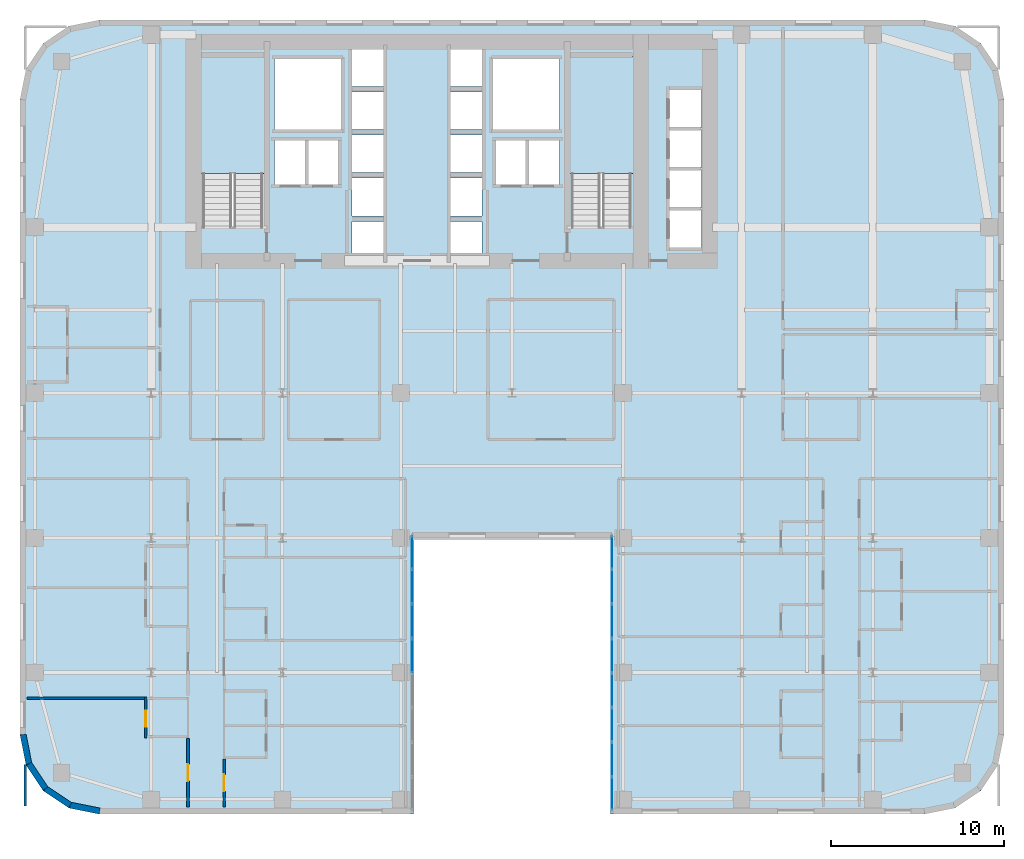
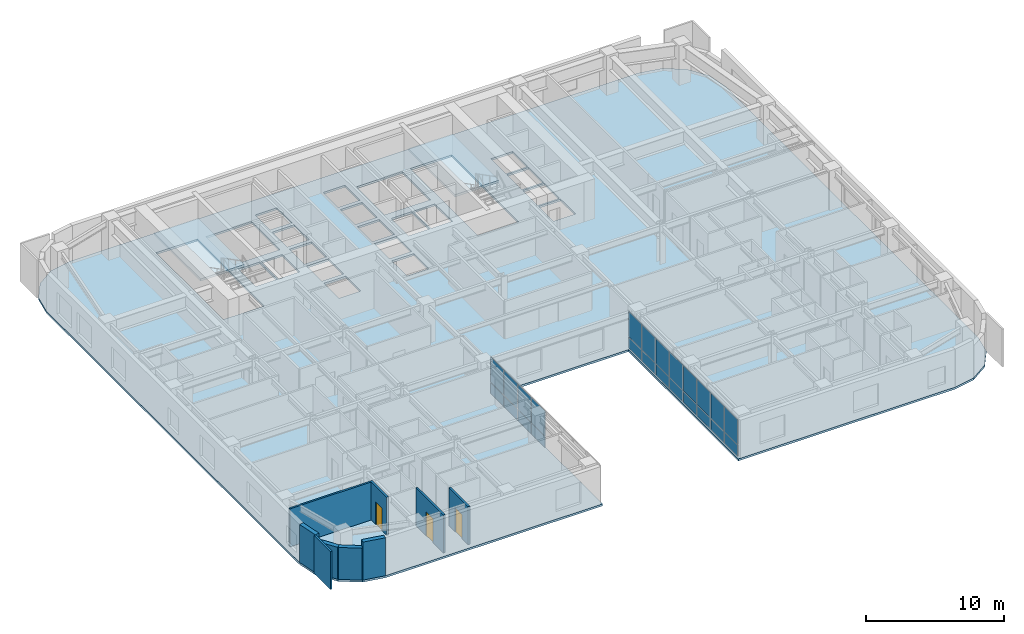
# One storey, part 9 of 17: 24 plates, 9 walls, 3 doors, 3 slabs, 3 openings, 4 elements without a shape of their own.
"""IFC4 building model written with IfcOpenShell, lengths in metres."""

from ifc_helpers import new_model, si_unit, direction, frame, frame_2d, origin, origin_2d, place, context, subcontext, project, spatial, polyline, rectangle, outline, extrude, source, transform, mapped, material, layer, layer_set, type_object, type_shapes, element, fill, aggregate, save


model = new_model("IFC4")

# Units and contexts
model_context = context("Model", 3, precision=1e-05, world=origin(), true_north=direction((0.0, 1.0)))
body_context = subcontext(model_context, "Body", "Model", "MODEL_VIEW")
ifc_project = project(units=[si_unit("LENGTHUNIT", "METRE"), si_unit("AREAUNIT", "SQUARE_METRE"), si_unit("VOLUMEUNIT", "CUBIC_METRE"), si_unit("PLANEANGLEUNIT", "RADIAN"), si_unit("MASSUNIT", "GRAM", prefix="KILO")], contexts=[model_context])

# Site, building, storey
site_placement = place(None, origin())
site = spatial("IfcSite", under=ifc_project, at=site_placement, CompositionType="ELEMENT")
building_placement = place(site_placement, origin())
building = spatial("IfcBuilding", under=site, at=building_placement, Name="Tolvann Quenvar Hotel", CompositionType="ELEMENT")
storey_placement = place(building_placement, frame((0.0, 0.0, 42.64990234375)))
storey = spatial("IfcBuildingStorey", under=building, at=storey_placement, Name="L09", CompositionType="ELEMENT", Elevation=42.64990234375)

# Stair, slab
ifc_material_1 = material(Name="Concrete N40 (40 MPa)", Category="concrete")
stair_type = type_object("IfcStairType", Name="STAIR", PredefinedType="HALF_TURN_STAIR", material=ifc_material_1)
stair_1_placement = place(storey_placement, origin())
stair_1 = element("IfcStair", 1, at=stair_1_placement, inside=storey, type_object=stair_type, Name="L09 ST-C1", PredefinedType="HALF_TURN_STAIR")
ifc_layer_1 = layer(ifc_material_1, 0.199951171875)
ifc_layer_set_1 = layer_set([ifc_layer_1], Name="Concrete N40 (40 MPa)")
slab_type_1 = type_object("IfcSlabType", Name="SLAB_LANDING", PredefinedType="LANDING", material=ifc_layer_set_1)
slab_1_placement = place(storey_placement, frame((0.0, 0.0, 1.5751953125)))
slab_1 = element("IfcSlab", 2, at=slab_1_placement, type_object=slab_type_1, Name="ST-C1 landing 1", PredefinedType="LANDING", context=body_context, shape_type="SweptSolid", body=[
    extrude(outline(polyline([(14.179931640625, 37.10498046875), (14.179931640625, 43.8798828125), (10.469970703125, 43.8798828125), (10.469970703125, 37.10498046875), (14.179931640625, 37.10498046875)])), origin(), (0.0, 0.0, 1.0), 0.199951171875),
])
aggregate(stair_1, [slab_1])

stair_2_placement = place(storey_placement, origin())
stair_2 = element("IfcStair", 3, at=stair_2_placement, inside=storey, type_object=stair_type, Name="L09 ST-C2", PredefinedType="HALF_TURN_STAIR")
slab_2_placement = place(storey_placement, frame((0.0, 0.0, 1.5751953125)))
slab_2 = element("IfcSlab", 4, at=slab_2_placement, type_object=slab_type_1, Name="ST-C2 landing 1", PredefinedType="LANDING", context=body_context, shape_type="SweptSolid", body=[
    extrude(outline(polyline([(35.530029296875, 37.10498046875), (35.530029296875, 43.8798828125), (31.820068359375, 43.8798828125), (31.820068359375, 37.10498046875), (35.530029296875, 37.10498046875)])), origin(), (0.0, 0.0, 1.0), 0.199951171875),
])
aggregate(stair_2, [slab_2])

# Slab
ifc_layer_2 = layer(ifc_material_1, 0.179931640625)
ifc_layer_set_2 = layer_set([ifc_layer_2], Name="Concrete N40 (40 MPa)")
slab_type_2 = type_object("IfcSlabType", Name="SLAB_TWR_180", PredefinedType="FLOOR", material=ifc_layer_set_2)
slab_3_placement = place(storey_placement, frame((0.0, 0.0, -0.179931640625)))
element("IfcSlab", 5, at=slab_3_placement, inside=storey, type_object=slab_type_2, Name="Level L09 Structural Floor Slab", PredefinedType="FLOOR", context=body_context, shape_type="SweptSolid", body=[
    extrude(outline(polyline([(0.0, 4.60009765625), (0.35009765625, 2.839599609375), (1.347412109375, 1.347412109375), (2.839599609375, 0.35009765625), (4.60009765625, 0.0), (22.800048828125, 0.0), (22.800048828125, 16.0), (34.199951171875, 16.0), (34.199951171875, 0.0), (52.39990234375, 0.0), (54.160400390625, 0.35009765625), (55.652587890625, 1.347412109375), (56.64990234375, 2.839599609375), (57.0, 4.60009765625), (57.0, 41.39990234375), (56.64990234375, 43.160400390625), (55.652587890625, 44.652587890625), (54.160400390625, 45.64990234375), (52.39990234375, 46.0), (4.60009765625, 46.0), (2.839599609375, 45.64990234375), (1.347412109375, 44.652587890625), (0.35009765625, 43.160400390625), (0.0, 41.39990234375), (0.0, 4.60009765625)]), holes=[polyline([(37.6298828125, 41.949951171875), (39.469970703125, 41.949951171875), (39.469970703125, 39.77001953125), (37.6298828125, 39.77001953125), (37.6298828125, 41.949951171875)]), polyline([(37.6298828125, 39.6298828125), (39.469970703125, 39.6298828125), (39.469970703125, 37.449951171875), (37.6298828125, 37.449951171875), (37.6298828125, 39.6298828125)]), polyline([(37.6298828125, 37.31005859375), (39.469970703125, 37.31005859375), (39.469970703125, 35.1298828125), (37.6298828125, 35.1298828125), (37.6298828125, 37.31005859375)]), polyline([(37.6298828125, 34.989990234375), (39.469970703125, 34.989990234375), (39.469970703125, 32.81005859375), (37.6298828125, 32.81005859375), (37.6298828125, 34.989990234375)]), polyline([(31.949951171875, 43.800048828125), (35.39990234375, 43.800048828125), (35.39990234375, 34.02490234375), (31.949951171875, 34.02490234375), (31.949951171875, 43.800048828125)]), polyline([(31.25, 39.02001953125), (31.25, 36.47998046875), (29.449951171875, 36.47998046875), (29.449951171875, 39.02001953125), (31.25, 39.02001953125)]), polyline([(31.25, 43.75), (31.25, 39.64990234375), (27.39990234375, 39.64990234375), (27.39990234375, 43.75), (31.25, 43.75)]), polyline([(27.574951171875, 39.02001953125), (29.324951171875, 39.02001953125), (29.324951171875, 36.47998046875), (27.574951171875, 36.47998046875), (27.574951171875, 39.02001953125)]), polyline([(26.77001953125, 36.840087890625), (26.77001953125, 34.659912109375), (24.929931640625, 34.659912109375), (24.929931640625, 36.840087890625), (26.77001953125, 36.840087890625)]), polyline([(26.77001953125, 44.340087890625), (26.77001953125, 42.159912109375), (24.929931640625, 42.159912109375), (24.929931640625, 44.340087890625), (26.77001953125, 44.340087890625)]), polyline([(26.77001953125, 41.840087890625), (26.77001953125, 39.659912109375), (24.929931640625, 39.659912109375), (24.929931640625, 41.840087890625), (26.77001953125, 41.840087890625)]), polyline([(26.77001953125, 39.340087890625), (26.77001953125, 37.159912109375), (24.929931640625, 37.159912109375), (24.929931640625, 39.340087890625), (26.77001953125, 39.340087890625)]), polyline([(24.929931640625, 34.340087890625), (26.77001953125, 34.340087890625), (26.77001953125, 32.159912109375), (24.929931640625, 32.159912109375), (24.929931640625, 34.340087890625)]), polyline([(21.070068359375, 44.340087890625), (21.070068359375, 42.159912109375), (19.22998046875, 42.159912109375), (19.22998046875, 44.340087890625), (21.070068359375, 44.340087890625)]), polyline([(19.22998046875, 41.840087890625), (21.070068359375, 41.840087890625), (21.070068359375, 39.659912109375), (19.22998046875, 39.659912109375), (19.22998046875, 41.840087890625)]), polyline([(21.070068359375, 39.340087890625), (21.070068359375, 37.159912109375), (19.22998046875, 37.159912109375), (19.22998046875, 39.340087890625), (21.070068359375, 39.340087890625)]), polyline([(19.22998046875, 36.840087890625), (21.070068359375, 36.840087890625), (21.070068359375, 34.659912109375), (19.22998046875, 34.659912109375), (19.22998046875, 36.840087890625)]), polyline([(19.22998046875, 34.340087890625), (21.070068359375, 34.340087890625), (21.070068359375, 32.159912109375), (19.22998046875, 32.159912109375), (19.22998046875, 34.340087890625)]), polyline([(18.60009765625, 43.75), (18.60009765625, 39.64990234375), (14.75, 39.64990234375), (14.75, 43.75), (18.60009765625, 43.75)]), polyline([(16.675048828125, 39.02001953125), (18.425048828125, 39.02001953125), (18.425048828125, 36.47998046875), (16.675048828125, 36.47998046875), (16.675048828125, 39.02001953125)]), polyline([(16.550048828125, 39.02001953125), (16.550048828125, 36.47998046875), (14.75, 36.47998046875), (14.75, 39.02001953125), (16.550048828125, 39.02001953125)]), polyline([(10.60009765625, 43.800048828125), (14.050048828125, 43.800048828125), (14.050048828125, 34.02490234375), (10.60009765625, 34.02490234375), (10.60009765625, 43.800048828125)])]), origin(), (0.0, 0.0, 1.0), 0.179931640625),
])

# Curtain wall, plate
ifc_material_2 = material(Name="Thermally broken anodised architectural aluminium 6063-T6 and laminated low-E glass", Category="aluminium")
ifc_layer_3 = layer(ifc_material_2, 0.179931640625)
ifc_layer_set_3 = layer_set([ifc_layer_3], Name="Thermally broken anodised architectural aluminium 6063-T6 and laminated low-E glass")
curtain_wall_type = type_object("IfcCurtainWallType", Name="CW_SYS_SLOT_03", PredefinedType="USERDEFINED", material=ifc_layer_set_3)
curtain_wall_1_placement = place(storey_placement, origin())
curtain_wall_1 = element("IfcCurtainWall", 6, at=curtain_wall_1_placement, inside=storey, type_object=curtain_wall_type, Name="Curtain Wall CW-SLOT-03 (CWR-L09-E05)", ObjectType="UNITISED CURTAIN WALL", PredefinedType="USERDEFINED")
ifc_material_3 = material(Name="Low-iron laminated double glazing with solar-control coating", Category="glass")
ifc_layer_4 = layer(ifc_material_3, 0.028076171875)
ifc_layer_set_4 = layer_set([ifc_layer_4], Name="Low-iron laminated double glazing with solar-control coating")
plate_type = type_object("IfcPlateType", Name="CW_PAN_VISION_28", PredefinedType="CURTAIN_PANEL", material=ifc_layer_set_4)
shared_shape_1 = source(origin(), body_context, "Body", "SweptSolid", [
    extrude(rectangle(XDim=1.89501953125, YDim=0.028076171875, at=origin_2d()), origin(), (0.0, 0.0, 1.0), 0.9599609375),
])
plate_1_placement = place(storey_placement, frame((22.7099609375, 15.157470703125, 0.06005859375), z_axis=(0.0, 0.0, 1.0), x_axis=(0.0, 1.0, 0.0)))
plate_1 = element("IfcPlate", 7, at=plate_1_placement, type_object=plate_type, Name="CW-SLOT-03 panel 8.1", PredefinedType="CURTAIN_PANEL", context=body_context, shape_type="MappedRepresentation", body=[
    mapped(shared_shape_1, transform((0.0, 0.0, 0.0), x_axis=(1.0, 0.0, 0.0), y_axis=(0.0, 1.0, 0.0), z_axis=(0.0, 0.0, 1.0), scale=1.0)),
])

# Curtain wall, plates
curtain_wall_2_placement = place(storey_placement, origin())
curtain_wall_2 = element("IfcCurtainWall", 8, at=curtain_wall_2_placement, inside=storey, type_object=curtain_wall_type, Name="Curtain Wall CW-SLOT-03 (CWR-L09-E07)", ObjectType="UNITISED CURTAIN WALL", PredefinedType="USERDEFINED")
plate_2_placement = place(storey_placement, frame((34.2900390625, 15.157470703125, 0.06005859375), z_axis=(0.0, 0.0, 1.0), x_axis=(0.0, -1.0, 0.0)))
plate_2 = element("IfcPlate", 9, at=plate_2_placement, type_object=plate_type, Name="CW-SLOT-03 panel 1.1", PredefinedType="CURTAIN_PANEL", context=body_context, shape_type="MappedRepresentation", body=[
    mapped(shared_shape_1, transform((0.0, 0.0, 0.0), x_axis=(1.0, 0.0, 0.0), y_axis=(0.0, 1.0, 0.0), z_axis=(0.0, 0.0, 1.0), scale=1.0)),
])
plate_3_placement = place(storey_placement, frame((34.2900390625, 1.1923828125, 0.06005859375), z_axis=(0.0, 0.0, 1.0), x_axis=(0.0, -1.0, 0.0)))
plate_3 = element("IfcPlate", 10, at=plate_3_placement, type_object=plate_type, Name="CW-SLOT-03 panel 8.1", PredefinedType="CURTAIN_PANEL", context=body_context, shape_type="MappedRepresentation", body=[
    mapped(shared_shape_1, transform((0.0, 0.0, 0.0), x_axis=(1.0, 0.0, 0.0), y_axis=(0.0, 1.0, 0.0), z_axis=(0.0, 0.0, 1.0), scale=1.0)),
])

# Plate
shared_shape_2 = source(origin(), body_context, "Body", "SweptSolid", [
    extrude(rectangle(XDim=1.89501953125, YDim=0.028076171875, at=origin_2d()), origin(), (0.0, 0.0, 1.0), 2.22998046875),
])
plate_4_placement = place(storey_placement, frame((22.7099609375, 15.157470703125, 1.080078125), z_axis=(0.0, 0.0, 1.0), x_axis=(0.0, 1.0, 0.0)))
plate_4 = element("IfcPlate", 11, at=plate_4_placement, type_object=plate_type, Name="CW-SLOT-03 panel 8.2", PredefinedType="CURTAIN_PANEL", context=body_context, shape_type="MappedRepresentation", body=[
    mapped(shared_shape_2, transform((0.0, 0.0, 0.0), x_axis=(1.0, 0.0, 0.0), y_axis=(0.0, 1.0, 0.0), z_axis=(0.0, 0.0, 1.0), scale=1.0)),
])

plate_5_placement = place(storey_placement, frame((34.2900390625, 15.157470703125, 1.080078125), z_axis=(0.0, 0.0, 1.0), x_axis=(0.0, -1.0, 0.0)))
plate_5 = element("IfcPlate", 12, at=plate_5_placement, type_object=plate_type, Name="CW-SLOT-03 panel 1.2", PredefinedType="CURTAIN_PANEL", context=body_context, shape_type="MappedRepresentation", body=[
    mapped(shared_shape_2, transform((0.0, 0.0, 0.0), x_axis=(1.0, 0.0, 0.0), y_axis=(0.0, 1.0, 0.0), z_axis=(0.0, 0.0, 1.0), scale=1.0)),
])

plate_6_placement = place(storey_placement, frame((34.2900390625, 1.1923828125, 1.080078125), z_axis=(0.0, 0.0, 1.0), x_axis=(0.0, -1.0, 0.0)))
plate_6 = element("IfcPlate", 13, at=plate_6_placement, type_object=plate_type, Name="CW-SLOT-03 panel 8.2", PredefinedType="CURTAIN_PANEL", context=body_context, shape_type="MappedRepresentation", body=[
    mapped(shared_shape_2, transform((0.0, 0.0, 0.0), x_axis=(1.0, 0.0, 0.0), y_axis=(0.0, 1.0, 0.0), z_axis=(0.0, 0.0, 1.0), scale=1.0)),
])

shared_shape_3 = source(origin(), body_context, "Body", "SweptSolid", [
    extrude(rectangle(XDim=1.929931640625, YDim=0.028076171875, at=origin_2d()), origin(), (0.0, 0.0, 1.0), 0.9599609375),
])
plate_7_placement = place(storey_placement, frame((22.7099609375, 9.175048828125, 0.06005859375), z_axis=(0.0, 0.0, 1.0), x_axis=(0.0, 1.0, 0.0)))
plate_7 = element("IfcPlate", 14, at=plate_7_placement, type_object=plate_type, Name="CW-SLOT-03 panel 5.1", PredefinedType="CURTAIN_PANEL", context=body_context, shape_type="MappedRepresentation", body=[
    mapped(shared_shape_3, transform((0.0, 0.0, 0.0), x_axis=(1.0, 0.0, 0.0), y_axis=(0.0, 1.0, 0.0), z_axis=(0.0, 0.0, 1.0), scale=1.0)),
])

plate_8_placement = place(storey_placement, frame((22.7099609375, 11.175048828125, 0.06005859375), z_axis=(0.0, 0.0, 1.0), x_axis=(0.0, 1.0, 0.0)))
plate_8 = element("IfcPlate", 15, at=plate_8_placement, type_object=plate_type, Name="CW-SLOT-03 panel 6.1", PredefinedType="CURTAIN_PANEL", context=body_context, shape_type="MappedRepresentation", body=[
    mapped(shared_shape_3, transform((0.0, 0.0, 0.0), x_axis=(1.0, 0.0, 0.0), y_axis=(0.0, 1.0, 0.0), z_axis=(0.0, 0.0, 1.0), scale=1.0)),
])

plate_9_placement = place(storey_placement, frame((22.7099609375, 13.175048828125, 0.06005859375), z_axis=(0.0, 0.0, 1.0), x_axis=(0.0, 1.0, 0.0)))
plate_9 = element("IfcPlate", 16, at=plate_9_placement, type_object=plate_type, Name="CW-SLOT-03 panel 7.1", PredefinedType="CURTAIN_PANEL", context=body_context, shape_type="MappedRepresentation", body=[
    mapped(shared_shape_3, transform((0.0, 0.0, 0.0), x_axis=(1.0, 0.0, 0.0), y_axis=(0.0, 1.0, 0.0), z_axis=(0.0, 0.0, 1.0), scale=1.0)),
])

plate_10_placement = place(storey_placement, frame((34.2900390625, 13.175048828125, 0.06005859375), z_axis=(0.0, 0.0, 1.0), x_axis=(0.0, -1.0, 0.0)))
plate_10 = element("IfcPlate", 17, at=plate_10_placement, type_object=plate_type, Name="CW-SLOT-03 panel 2.1", PredefinedType="CURTAIN_PANEL", context=body_context, shape_type="MappedRepresentation", body=[
    mapped(shared_shape_3, transform((0.0, 0.0, 0.0), x_axis=(1.0, 0.0, 0.0), y_axis=(0.0, 1.0, 0.0), z_axis=(0.0, 0.0, 1.0), scale=1.0)),
])

plate_11_placement = place(storey_placement, frame((34.2900390625, 11.175048828125, 0.06005859375), z_axis=(0.0, 0.0, 1.0), x_axis=(0.0, -1.0, 0.0)))
plate_11 = element("IfcPlate", 18, at=plate_11_placement, type_object=plate_type, Name="CW-SLOT-03 panel 3.1", PredefinedType="CURTAIN_PANEL", context=body_context, shape_type="MappedRepresentation", body=[
    mapped(shared_shape_3, transform((0.0, 0.0, 0.0), x_axis=(1.0, 0.0, 0.0), y_axis=(0.0, 1.0, 0.0), z_axis=(0.0, 0.0, 1.0), scale=1.0)),
])

plate_12_placement = place(storey_placement, frame((34.2900390625, 9.175048828125, 0.06005859375), z_axis=(0.0, 0.0, 1.0), x_axis=(0.0, -1.0, 0.0)))
plate_12 = element("IfcPlate", 19, at=plate_12_placement, type_object=plate_type, Name="CW-SLOT-03 panel 4.1", PredefinedType="CURTAIN_PANEL", context=body_context, shape_type="MappedRepresentation", body=[
    mapped(shared_shape_3, transform((0.0, 0.0, 0.0), x_axis=(1.0, 0.0, 0.0), y_axis=(0.0, 1.0, 0.0), z_axis=(0.0, 0.0, 1.0), scale=1.0)),
])

plate_13_placement = place(storey_placement, frame((34.2900390625, 7.175048828125, 0.06005859375), z_axis=(0.0, 0.0, 1.0), x_axis=(0.0, -1.0, 0.0)))
plate_13 = element("IfcPlate", 20, at=plate_13_placement, type_object=plate_type, Name="CW-SLOT-03 panel 5.1", PredefinedType="CURTAIN_PANEL", context=body_context, shape_type="MappedRepresentation", body=[
    mapped(shared_shape_3, transform((0.0, 0.0, 0.0), x_axis=(1.0, 0.0, 0.0), y_axis=(0.0, 1.0, 0.0), z_axis=(0.0, 0.0, 1.0), scale=1.0)),
])

plate_14_placement = place(storey_placement, frame((34.2900390625, 5.175048828125, 0.06005859375), z_axis=(0.0, 0.0, 1.0), x_axis=(0.0, -1.0, 0.0)))
plate_14 = element("IfcPlate", 21, at=plate_14_placement, type_object=plate_type, Name="CW-SLOT-03 panel 6.1", PredefinedType="CURTAIN_PANEL", context=body_context, shape_type="MappedRepresentation", body=[
    mapped(shared_shape_3, transform((0.0, 0.0, 0.0), x_axis=(1.0, 0.0, 0.0), y_axis=(0.0, 1.0, 0.0), z_axis=(0.0, 0.0, 1.0), scale=1.0)),
])

plate_15_placement = place(storey_placement, frame((34.2900390625, 3.175048828125, 0.06005859375), z_axis=(0.0, 0.0, 1.0), x_axis=(0.0, -1.0, 0.0)))
plate_15 = element("IfcPlate", 22, at=plate_15_placement, type_object=plate_type, Name="CW-SLOT-03 panel 7.1", PredefinedType="CURTAIN_PANEL", context=body_context, shape_type="MappedRepresentation", body=[
    mapped(shared_shape_3, transform((0.0, 0.0, 0.0), x_axis=(1.0, 0.0, 0.0), y_axis=(0.0, 1.0, 0.0), z_axis=(0.0, 0.0, 1.0), scale=1.0)),
])

shared_shape_4 = source(origin(), body_context, "Body", "SweptSolid", [
    extrude(rectangle(XDim=1.929931640625, YDim=0.028076171875, at=origin_2d()), origin(), (0.0, 0.0, 1.0), 2.22998046875),
])
type_shapes(plate_type, [shared_shape_1, shared_shape_2, shared_shape_3, shared_shape_4])
plate_16_placement = place(storey_placement, frame((22.7099609375, 9.175048828125, 1.080078125), z_axis=(0.0, 0.0, 1.0), x_axis=(0.0, 1.0, 0.0)))
plate_16 = element("IfcPlate", 23, at=plate_16_placement, type_object=plate_type, Name="CW-SLOT-03 panel 5.2", PredefinedType="CURTAIN_PANEL", context=body_context, shape_type="MappedRepresentation", body=[
    mapped(shared_shape_4, transform((0.0, 0.0, 0.0), x_axis=(1.0, 0.0, 0.0), y_axis=(0.0, 1.0, 0.0), z_axis=(0.0, 0.0, 1.0), scale=1.0)),
])

plate_17_placement = place(storey_placement, frame((22.7099609375, 11.175048828125, 1.080078125), z_axis=(0.0, 0.0, 1.0), x_axis=(0.0, 1.0, 0.0)))
plate_17 = element("IfcPlate", 24, at=plate_17_placement, type_object=plate_type, Name="CW-SLOT-03 panel 6.2", PredefinedType="CURTAIN_PANEL", context=body_context, shape_type="MappedRepresentation", body=[
    mapped(shared_shape_4, transform((0.0, 0.0, 0.0), x_axis=(1.0, 0.0, 0.0), y_axis=(0.0, 1.0, 0.0), z_axis=(0.0, 0.0, 1.0), scale=1.0)),
])

plate_18_placement = place(storey_placement, frame((22.7099609375, 13.175048828125, 1.080078125), z_axis=(0.0, 0.0, 1.0), x_axis=(0.0, 1.0, 0.0)))
plate_18 = element("IfcPlate", 25, at=plate_18_placement, type_object=plate_type, Name="CW-SLOT-03 panel 7.2", PredefinedType="CURTAIN_PANEL", context=body_context, shape_type="MappedRepresentation", body=[
    mapped(shared_shape_4, transform((0.0, 0.0, 0.0), x_axis=(1.0, 0.0, 0.0), y_axis=(0.0, 1.0, 0.0), z_axis=(0.0, 0.0, 1.0), scale=1.0)),
])

aggregate(curtain_wall_1, [plate_7, plate_16, plate_8, plate_17, plate_9, plate_18, plate_1, plate_4])

plate_19_placement = place(storey_placement, frame((34.2900390625, 13.175048828125, 1.080078125), z_axis=(0.0, 0.0, 1.0), x_axis=(0.0, -1.0, 0.0)))
plate_19 = element("IfcPlate", 26, at=plate_19_placement, type_object=plate_type, Name="CW-SLOT-03 panel 2.2", PredefinedType="CURTAIN_PANEL", context=body_context, shape_type="MappedRepresentation", body=[
    mapped(shared_shape_4, transform((0.0, 0.0, 0.0), x_axis=(1.0, 0.0, 0.0), y_axis=(0.0, 1.0, 0.0), z_axis=(0.0, 0.0, 1.0), scale=1.0)),
])

plate_20_placement = place(storey_placement, frame((34.2900390625, 11.175048828125, 1.080078125), z_axis=(0.0, 0.0, 1.0), x_axis=(0.0, -1.0, 0.0)))
plate_20 = element("IfcPlate", 27, at=plate_20_placement, type_object=plate_type, Name="CW-SLOT-03 panel 3.2", PredefinedType="CURTAIN_PANEL", context=body_context, shape_type="MappedRepresentation", body=[
    mapped(shared_shape_4, transform((0.0, 0.0, 0.0), x_axis=(1.0, 0.0, 0.0), y_axis=(0.0, 1.0, 0.0), z_axis=(0.0, 0.0, 1.0), scale=1.0)),
])

plate_21_placement = place(storey_placement, frame((34.2900390625, 9.175048828125, 1.080078125), z_axis=(0.0, 0.0, 1.0), x_axis=(0.0, -1.0, 0.0)))
plate_21 = element("IfcPlate", 28, at=plate_21_placement, type_object=plate_type, Name="CW-SLOT-03 panel 4.2", PredefinedType="CURTAIN_PANEL", context=body_context, shape_type="MappedRepresentation", body=[
    mapped(shared_shape_4, transform((0.0, 0.0, 0.0), x_axis=(1.0, 0.0, 0.0), y_axis=(0.0, 1.0, 0.0), z_axis=(0.0, 0.0, 1.0), scale=1.0)),
])

plate_22_placement = place(storey_placement, frame((34.2900390625, 7.175048828125, 1.080078125), z_axis=(0.0, 0.0, 1.0), x_axis=(0.0, -1.0, 0.0)))
plate_22 = element("IfcPlate", 29, at=plate_22_placement, type_object=plate_type, Name="CW-SLOT-03 panel 5.2", PredefinedType="CURTAIN_PANEL", context=body_context, shape_type="MappedRepresentation", body=[
    mapped(shared_shape_4, transform((0.0, 0.0, 0.0), x_axis=(1.0, 0.0, 0.0), y_axis=(0.0, 1.0, 0.0), z_axis=(0.0, 0.0, 1.0), scale=1.0)),
])

plate_23_placement = place(storey_placement, frame((34.2900390625, 5.175048828125, 1.080078125), z_axis=(0.0, 0.0, 1.0), x_axis=(0.0, -1.0, 0.0)))
plate_23 = element("IfcPlate", 30, at=plate_23_placement, type_object=plate_type, Name="CW-SLOT-03 panel 6.2", PredefinedType="CURTAIN_PANEL", context=body_context, shape_type="MappedRepresentation", body=[
    mapped(shared_shape_4, transform((0.0, 0.0, 0.0), x_axis=(1.0, 0.0, 0.0), y_axis=(0.0, 1.0, 0.0), z_axis=(0.0, 0.0, 1.0), scale=1.0)),
])

plate_24_placement = place(storey_placement, frame((34.2900390625, 3.175048828125, 1.080078125), z_axis=(0.0, 0.0, 1.0), x_axis=(0.0, -1.0, 0.0)))
plate_24 = element("IfcPlate", 31, at=plate_24_placement, type_object=plate_type, Name="CW-SLOT-03 panel 7.2", PredefinedType="CURTAIN_PANEL", context=body_context, shape_type="MappedRepresentation", body=[
    mapped(shared_shape_4, transform((0.0, 0.0, 0.0), x_axis=(1.0, 0.0, 0.0), y_axis=(0.0, 1.0, 0.0), z_axis=(0.0, 0.0, 1.0), scale=1.0)),
])

aggregate(curtain_wall_2, [plate_2, plate_5, plate_10, plate_19, plate_11, plate_20, plate_12, plate_21, plate_13, plate_22, plate_14, plate_23, plate_15, plate_24, plate_3, plate_6])

# Walls
ifc_material_4 = material(Name="Kiln-fired red and buff architectural clay brickwork and terracotta masonry", Category="masonry")
ifc_layer_5 = layer(ifc_material_4, 0.35009765625)
ifc_layer_set_5 = layer_set([ifc_layer_5], Name="Kiln-fired red and buff architectural clay brickwork and terracotta masonry")
wall_type_1 = type_object("IfcWallType", Name="WALL_EXT_BRICK_350", PredefinedType="SOLIDWALL", material=ifc_layer_set_5)
for number, where, z_axis, x_axis, name in (
    (32, (0.514892578125, 2.907958984375, 0.0), (0.0, 0.0, 1.0), (0.55554893791, -0.831483840845, 0.0), "Exterior Chicago Brick Wall L09-E01"),
    (33, (1.473388671875, 1.473388671875, 0.0), (0.0, 0.0, 1.0), (0.831483840845, -0.55554893791, 0.0), "Exterior Chicago Brick Wall L09-E02"),
):
    element("IfcWall", number, at=place(storey_placement, frame(where, z_axis=z_axis, x_axis=x_axis)), inside=storey, type_object=wall_type_1, Name=name, PredefinedType="SOLIDWALL", context=body_context, shape_type="SweptSolid", body=[
        extrude(rectangle(XDim=1.725341796875, YDim=0.35009765625, at=frame_2d((0.86279296875, 0.0))), origin(), (0.0, 0.0, 1.0), 2.83203125),
    ])
for number, where, z_axis, x_axis, name in (
    (34, (2.907958984375, 0.514892578125, 0.0), (0.0, 0.0, 1.0), (0.980800971659, -0.195011420161, 0.0), "Exterior Chicago Brick Wall L09-E03"),
    (35, (0.175048828125, 4.6171875, 0.0), (0.0, 0.0, 1.0), (0.195011420161, -0.980800971659, 0.0), "Exterior Chicago Brick Wall L09-E24"),
):
    element("IfcWall", number, at=place(storey_placement, frame(where, z_axis=z_axis, x_axis=x_axis)), inside=storey, type_object=wall_type_1, Name=name, PredefinedType="SOLIDWALL", context=body_context, shape_type="SweptSolid", body=[
        extrude(rectangle(XDim=1.74267578125, YDim=0.35009765625, at=frame_2d((0.871337890625, 0.0))), origin(), (0.0, 0.0, 1.0), 3.3701171875),
    ])

# Wall, opening, door
ifc_material_5 = material(Name="Acoustic twin-stud fire-rated gypsum plasterboard partition")
ifc_layer_6 = layer(ifc_material_5, 0.14990234375)
ifc_layer_set_6 = layer_set([ifc_layer_6], Name="Acoustic twin-stud fire-rated gypsum plasterboard partition")
wall_type_2 = type_object("IfcWallType", Name="WALL_PART_SUITE_150", PredefinedType="PARTITIONING", material=ifc_layer_set_6)
wall_1_placement = place(storey_placement, frame((7.280029296875, 4.39990234375, 0.0), z_axis=(0.0, 0.0, 1.0), x_axis=(0.0, 1.0, 0.0)))
wall_1 = element("IfcWall", 36, at=wall_1_placement, inside=storey, type_object=wall_type_2, Name="Interior Partition PT-SPC-L09-ENS-WO01-ENT", PredefinedType="PARTITIONING", context=body_context, shape_type="SweptSolid", body=[
    extrude(rectangle(XDim=2.39013671875, YDim=0.14990234375, at=frame_2d((1.195068359375, 0.0))), origin(), (0.0, 0.0, 1.0), 3.3701171875),
])
opening_1_placement = place(wall_1_placement, frame((0.6650390625, 0.0, 0.0)))
opening_1 = element("IfcOpeningElement", 37, at=opening_1_placement, cuts=wall_1, Name="Opening WD-01", PredefinedType="OPENING", context=body_context, shape_type="SweptSolid", body=[
    extrude(rectangle(XDim=0.919921875, YDim=2.010009765625, at=frame_2d((0.4599609375, 1.0048828125))), frame((0.0, 0.0849609375, 0.0), z_axis=(0.0, -1.0, 0.0), x_axis=(1.0, 0.0, 0.0)), (0.0, 0.0, 1.0), 0.169921875),
])
ifc_material_6 = material(Name="Solid-core American oak acoustic fire door leaf in steel frame", Category="steel")
door_type_1 = type_object("IfcDoorType", Name="DOOR_WC_920", OperationType="NOTDEFINED", PredefinedType="DOOR", material=ifc_material_6)
shared_shape_5 = source(origin(), body_context, "Body", "SweptSolid", [
    extrude(rectangle(XDim=0.919921875, YDim=2.010009765625, at=frame_2d((0.4599609375, 1.0048828125))), frame((0.0, 0.02490234375, 0.0), z_axis=(0.0, -1.0, 0.0), x_axis=(1.0, 0.0, 0.0)), (0.0, 0.0, 1.0), 0.050048828125),
])
type_shapes(door_type_1, [shared_shape_5])
door_1_placement = place(opening_1_placement, origin())
door_1 = element("IfcDoor", 38, at=door_1_placement, inside=storey, type_object=door_type_1, Name="Interior Door DOOR-SPC-L09-ENS-WO01", OperationType="SINGLE_SWING_RIGHT", OverallHeight=2.010009765625, OverallWidth=0.919921875, PredefinedType="DOOR", context=body_context, shape_type="MappedRepresentation", body=[
    mapped(shared_shape_5, transform((0.0, 0.0, 0.0), x_axis=(1.0, 0.0, 0.0), y_axis=(0.0, 1.0, 0.0), z_axis=(0.0, 0.0, 1.0), scale=1.0)),
])
fill(opening_1, door_1)

wall_2_placement = place(storey_placement, frame((9.72998046875, 0.405029296875, 0.0), z_axis=(0.0, 0.0, 1.0), x_axis=(0.0, 1.0, 0.0)))
wall_2 = element("IfcWall", 39, at=wall_2_placement, inside=storey, type_object=wall_type_2, Name="Interior Partition PT-SPC-L09-RM-WO01-ENT", PredefinedType="PARTITIONING", context=body_context, shape_type="SweptSolid", body=[
    extrude(rectangle(XDim=3.98486328125, YDim=0.14990234375, at=frame_2d((1.992431640625, 0.0))), origin(), (0.0, 0.0, 1.0), 3.3701171875),
])
opening_2_placement = place(wall_2_placement, frame((1.510009765625, 0.0, 0.0)))
opening_2 = element("IfcOpeningElement", 40, at=opening_2_placement, cuts=wall_2, Name="Opening SD-01", PredefinedType="OPENING", context=body_context, shape_type="SweptSolid", body=[
    extrude(rectangle(XDim=0.97998046875, YDim=2.1201171875, at=frame_2d((0.489990234375, 1.06005859375))), frame((0.0, 0.0849609375, 0.0), z_axis=(0.0, -1.0, 0.0), x_axis=(1.0, 0.0, 0.0)), (0.0, 0.0, 1.0), 0.169921875),
])
door_type_2 = type_object("IfcDoorType", Name="DOOR_SUITE_980", OperationType="NOTDEFINED", PredefinedType="DOOR", material=ifc_material_6)
shared_shape_6 = source(origin(), body_context, "Body", "SweptSolid", [
    extrude(rectangle(XDim=0.97998046875, YDim=2.1201171875, at=frame_2d((0.489990234375, 1.06005859375))), frame((0.0, 0.02490234375, 0.0), z_axis=(0.0, -1.0, 0.0), x_axis=(1.0, 0.0, 0.0)), (0.0, 0.0, 1.0), 0.050048828125),
])
type_shapes(door_type_2, [shared_shape_6])
door_2_placement = place(opening_2_placement, origin())
door_2 = element("IfcDoor", 41, at=door_2_placement, inside=storey, type_object=door_type_2, Name="Interior Door DOOR-SPC-L09-RM-WO01", OperationType="SINGLE_SWING_LEFT", OverallHeight=2.1201171875, OverallWidth=0.97998046875, PredefinedType="DOOR", context=body_context, shape_type="MappedRepresentation", body=[
    mapped(shared_shape_6, transform((0.0, 0.0, 0.0), x_axis=(1.0, 0.0, 0.0), y_axis=(0.0, 1.0, 0.0), z_axis=(0.0, 0.0, 1.0), scale=1.0)),
])
fill(opening_2, door_2)

# Walls
wall_3_placement = place(storey_placement, frame((0.405029296875, 6.719970703125, 0.0), z_axis=(0.0, 0.0, 1.0), x_axis=(1.0, 0.0, 0.0)))
element("IfcWall", 42, at=wall_3_placement, inside=storey, type_object=wall_type_2, Name="Interior Partition PT-SPC-L09-RM-WO01-E5", PredefinedType="PARTITIONING", context=body_context, shape_type="SweptSolid", body=[
    extrude(rectangle(XDim=6.85498046875, YDim=0.14990234375, at=frame_2d((3.427490234375, 0.0))), origin(), (0.0, 0.0, 1.0), 3.3701171875),
])
wall_4_placement = place(storey_placement, frame((0.300048828125, 0.47998046875, 0.0), z_axis=(0.0, 0.0, 1.0), x_axis=(0.0, 1.0, 0.0)))
element("IfcWall", 43, at=wall_4_placement, inside=storey, type_object=wall_type_2, Name="Interior Partition PT-SPC-L09-RM-WO01-E6", PredefinedType="PARTITIONING", context=body_context, shape_type="SweptSolid", body=[
    extrude(rectangle(XDim=2.385009765625, YDim=0.14990234375, at=frame_2d((1.1923828125, 0.0))), origin(), (0.0, 0.0, 1.0), 3.3701171875),
])

# Wall, opening, door
wall_5_placement = place(storey_placement, frame((11.820068359375, 0.405029296875, 0.0), z_axis=(0.0, 0.0, 1.0), x_axis=(0.0, 1.0, 0.0)))
wall_5 = element("IfcWall", 44, at=wall_5_placement, inside=storey, type_object=wall_type_2, Name="Interior Partition PT-SPC-L09-RM-WI01-ENT", PredefinedType="PARTITIONING", context=body_context, shape_type="SweptSolid", body=[
    extrude(rectangle(XDim=2.784912109375, YDim=0.14990234375, at=frame_2d((1.392578125, 0.0))), origin(), (0.0, 0.0, 1.0), 3.3701171875),
])
opening_3_placement = place(wall_5_placement, frame((0.909912109375, 0.0, 0.0)))
opening_3 = element("IfcOpeningElement", 45, at=opening_3_placement, cuts=wall_5, Name="Opening SD-01", PredefinedType="OPENING", context=body_context, shape_type="SweptSolid", body=[
    extrude(rectangle(XDim=0.97998046875, YDim=2.1201171875, at=frame_2d((0.489990234375, 1.06005859375))), frame((0.0, 0.0849609375, 0.0), z_axis=(0.0, -1.0, 0.0), x_axis=(1.0, 0.0, 0.0)), (0.0, 0.0, 1.0), 0.169921875),
])
door_3_placement = place(opening_3_placement, origin())
door_3 = element("IfcDoor", 46, at=door_3_placement, inside=storey, type_object=door_type_2, Name="Interior Door DOOR-SPC-L09-RM-WI01", OperationType="SINGLE_SWING_RIGHT", OverallHeight=2.1201171875, OverallWidth=0.97998046875, PredefinedType="DOOR", context=body_context, shape_type="MappedRepresentation", body=[
    mapped(shared_shape_6, transform((0.0, 0.0, 0.0), x_axis=(1.0, 0.0, 0.0), y_axis=(0.0, 1.0, 0.0), z_axis=(0.0, 0.0, 1.0), scale=1.0)),
])
fill(opening_3, door_3)

save(model, "model.ifc")
